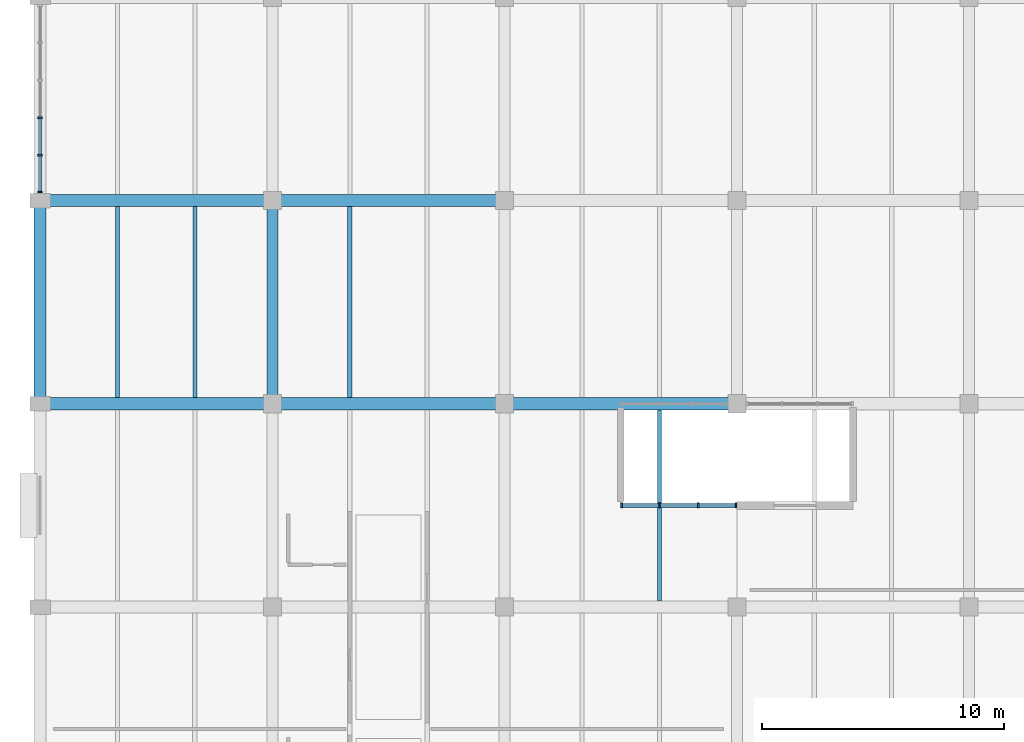
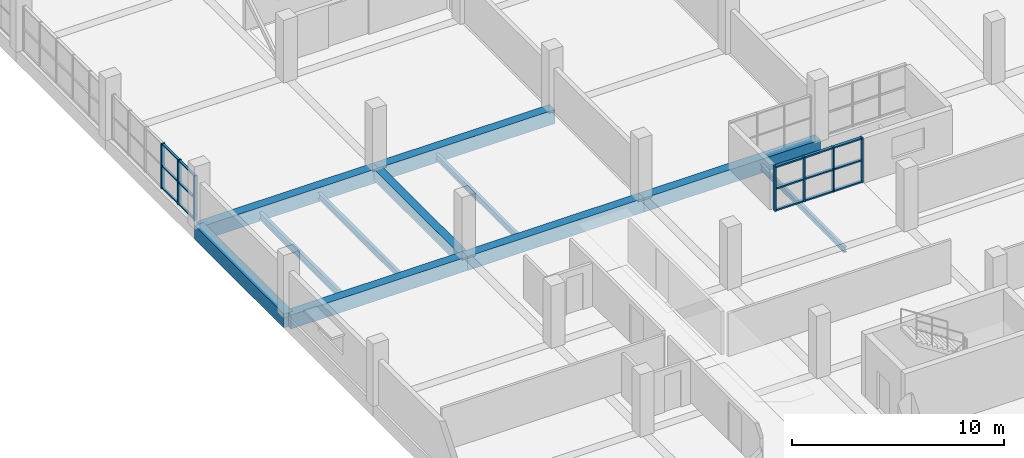
# One storey, part 32 of 147: 22 members, 11 beams, 2 elements without a shape of their own.
"""IFC4 building model written with IfcOpenShell, lengths in metres."""

from ifc_helpers import new_model, si_unit, direction, frame, origin, origin_2d, place, context, subcontext, project, spatial, rectangle, i_section, extrude, material, material_profile, profile_set, type_object, element, aggregate, save


model = new_model("IFC4")

# Units and contexts
model_context = context("Model", 3, precision=1e-05, world=origin(), true_north=direction((0.0, 1.0)))
body_context = subcontext(model_context, "Body", "Model", "MODEL_VIEW")
ifc_project = project(units=[si_unit("LENGTHUNIT", "METRE"), si_unit("AREAUNIT", "SQUARE_METRE"), si_unit("VOLUMEUNIT", "CUBIC_METRE"), si_unit("PLANEANGLEUNIT", "RADIAN"), si_unit("MASSUNIT", "GRAM", prefix="KILO")], contexts=[model_context])

# Site, building, storey
site_placement = place(None, origin())
site = spatial("IfcSite", under=ifc_project, at=site_placement, CompositionType="ELEMENT")
building_placement = place(site_placement, origin())
building = spatial("IfcBuilding", under=site, at=building_placement, Name="Oolite Switchyard Hospital", CompositionType="ELEMENT")
storey_placement = place(building_placement, frame((0.0, 0.0, 9.89990234375)))
storey = spatial("IfcBuildingStorey", under=building, at=storey_placement, Name="L02", CompositionType="ELEMENT", Elevation=9.89990234375)

# Beams
ifc_material_1 = material(Name="Concrete C40/50", Category="concrete")
ifc_material_profile_1 = material_profile(ifc_material_1, rectangle(XDim=0.449951171875, YDim=0.64990234375, at=origin_2d()), Name="RCB450X650")
ifc_profile_set_1 = profile_set([ifc_material_profile_1], Name="Concrete C40/50")
beam_type_1 = type_object("IfcBeamType", Name="BM-RC450X650", PredefinedType="BEAM", material=ifc_profile_set_1)
beam_1_placement = place(storey_placement, frame((9.60009765625, 84.0, -0.324951171875), z_axis=(0.0, 1.0, 0.0), x_axis=(-1.0, 0.0, 0.0)))
element("IfcBeam", 1, at=beam_1_placement, inside=storey, type_object=beam_type_1, Name="L02 Y-Girder 1271", PredefinedType="BEAM", context=body_context, shape_type="SweptSolid", body=[
    extrude(rectangle(XDim=0.449951171875, YDim=0.64990234375, at=origin_2d()), origin(), (0.0, 0.0, 1.0), 8.39990234375),
])
ifc_material_profile_2 = material_profile(ifc_material_1, rectangle(XDim=0.5, YDim=0.800048828125, at=origin_2d()), Name="RCB500X800")
ifc_profile_set_2 = profile_set([ifc_material_profile_2], Name="Concrete C40/50")
beam_type_2 = type_object("IfcBeamType", Name="BM-RC500X800", PredefinedType="BEAM", material=ifc_profile_set_2)
beam_2_placement = place(storey_placement, frame((0.0, 84.0, -0.39990234375), z_axis=(1.0, 0.0, 0.0), x_axis=(0.0, 1.0, 0.0)))
element("IfcBeam", 2, at=beam_2_placement, inside=storey, type_object=beam_type_2, Name="L02 X-Girder 1125", PredefinedType="BEAM", context=body_context, shape_type="SweptSolid", body=[
    extrude(rectangle(XDim=0.5, YDim=0.800048828125, at=origin_2d()), origin(), (0.0, 0.0, 1.0), 9.60009765625),
])
beam_3_placement = place(storey_placement, frame((9.60009765625, 84.0, -0.39990234375), z_axis=(1.0, 0.0, 0.0), x_axis=(0.0, 1.0, 0.0)))
element("IfcBeam", 3, at=beam_3_placement, inside=storey, type_object=beam_type_2, Name="L02 X-Girder 1126", PredefinedType="BEAM", context=body_context, shape_type="SweptSolid", body=[
    extrude(rectangle(XDim=0.5, YDim=0.800048828125, at=origin_2d()), origin(), (0.0, 0.0, 1.0), 9.599853515625),
])
for number, where, z_axis, x_axis, name in (
    (4, (19.199951171875, 84.0, -0.39990234375), (1.0, 0.0, 0.0), (0.0, 1.0, 0.0), "L02 X-Girder 1127"),
    (5, (0.0, 92.39990234375, -0.39990234375), (1.0, 0.0, 0.0), (0.0, 1.0, 0.0), "L02 X-Girder 1142"),
):
    element("IfcBeam", number, at=place(storey_placement, frame(where, z_axis=z_axis, x_axis=x_axis)), inside=storey, type_object=beam_type_2, Name=name, PredefinedType="BEAM", context=body_context, shape_type="SweptSolid", body=[
        extrude(rectangle(XDim=0.5, YDim=0.800048828125, at=origin_2d()), origin(), (0.0, 0.0, 1.0), 9.60009765625),
    ])
beam_4_placement = place(storey_placement, frame((9.60009765625, 92.39990234375, -0.39990234375), z_axis=(1.0, 0.0, 0.0), x_axis=(0.0, 1.0, 0.0)))
element("IfcBeam", 6, at=beam_4_placement, inside=storey, type_object=beam_type_2, Name="L02 X-Girder 1143", PredefinedType="BEAM", context=body_context, shape_type="SweptSolid", body=[
    extrude(rectangle(XDim=0.5, YDim=0.800048828125, at=origin_2d()), origin(), (0.0, 0.0, 1.0), 9.599853515625),
])
beam_5_placement = place(storey_placement, frame((0.0, 84.0, -0.39990234375), z_axis=(0.0, 1.0, 0.0), x_axis=(-1.0, 0.0, 0.0)))
element("IfcBeam", 7, at=beam_5_placement, inside=storey, type_object=beam_type_2, Name="L02 Y-Girder 1258", PredefinedType="BEAM", context=body_context, shape_type="SweptSolid", body=[
    extrude(rectangle(XDim=0.5, YDim=0.800048828125, at=origin_2d()), origin(), (0.0, 0.0, 1.0), 8.39990234375),
])
ifc_material_2 = material(Name="Steel ASTM A992 Grade 50", Category="steel")
ifc_material_profile_3 = material_profile(ifc_material_2, i_section(OverallWidth=0.1650390625, OverallDepth=0.31005859375, WebThickness=0.006103515625, FlangeThickness=0.010009765625, at=origin_2d()), Name="W12X26")
ifc_profile_set_3 = profile_set([ifc_material_profile_3], Name="Steel ASTM A992 Grade 50")
beam_type_3 = type_object("IfcBeamType", Name="BM-W12X26", PredefinedType="JOIST", material=ifc_profile_set_3)
beam_6_placement = place(storey_placement, frame((25.60009765625, 75.85009765625, -0.414794921875), z_axis=(0.0, 1.0, 0.0), x_axis=(-1.0, 0.0, 0.0)))
element("IfcBeam", 8, at=beam_6_placement, inside=storey, type_object=beam_type_3, Name="L02 Secondary Steel Joist 1579", PredefinedType="JOIST", context=body_context, shape_type="SweptSolid", body=[
    extrude(i_section(OverallWidth=0.1650390625, OverallDepth=0.31005859375, WebThickness=0.006103515625, FlangeThickness=0.010009765625, at=origin_2d()), origin(), (0.0, 0.0, 1.0), 7.89990234375),
])
ifc_material_profile_4 = material_profile(ifc_material_2, i_section(OverallWidth=0.1708984375, OverallDepth=0.35107421875, WebThickness=0.007080078125, FlangeThickness=0.010009765625, at=origin_2d()), Name="W14X30")
ifc_profile_set_4 = profile_set([ifc_material_profile_4], Name="Steel ASTM A992 Grade 50")
beam_type_4 = type_object("IfcBeamType", Name="BM-W14X30", PredefinedType="JOIST", material=ifc_profile_set_4)
for number, where, z_axis, x_axis, name in (
    (9, (6.39990234375, 84.25, -0.434814453125), (0.0, 1.0, 0.0), (-1.0, 0.0, 0.0), "L02 Secondary Steel Joist 1527"),
    (10, (12.800048828125, 84.25, -0.434814453125), (0.0, 1.0, 0.0), (-1.0, 0.0, 0.0), "L02 Secondary Steel Joist 1552"),
):
    element("IfcBeam", number, at=place(storey_placement, frame(where, z_axis=z_axis, x_axis=x_axis)), inside=storey, type_object=beam_type_4, Name=name, PredefinedType="JOIST", context=body_context, shape_type="SweptSolid", body=[
        extrude(i_section(OverallWidth=0.1708984375, OverallDepth=0.35107421875, WebThickness=0.007080078125, FlangeThickness=0.010009765625, at=origin_2d()), origin(), (0.0, 0.0, 1.0), 7.89990234375),
    ])
ifc_material_profile_5 = material_profile(ifc_material_2, i_section(OverallWidth=0.177978515625, OverallDepth=0.403076171875, WebThickness=0.008056640625, FlangeThickness=0.010986328125, at=origin_2d()), Name="W16X36")
ifc_profile_set_5 = profile_set([ifc_material_profile_5], Name="Steel ASTM A992 Grade 50")
beam_type_5 = type_object("IfcBeamType", Name="BM-W16X36", PredefinedType="JOIST", material=ifc_profile_set_5)
beam_7_placement = place(storey_placement, frame((3.199951171875, 84.25, -0.4609375), z_axis=(0.0, 1.0, 0.0), x_axis=(-1.0, 0.0, 0.0)))
element("IfcBeam", 11, at=beam_7_placement, inside=storey, type_object=beam_type_5, Name="L02 Secondary Steel Joist 1526", PredefinedType="JOIST", context=body_context, shape_type="SweptSolid", body=[
    extrude(i_section(OverallWidth=0.177978515625, OverallDepth=0.403076171875, WebThickness=0.008056640625, FlangeThickness=0.010986328125, at=origin_2d()), origin(), (0.0, 0.0, 1.0), 7.89990234375),
])

# Curtain wall, members
ifc_material_3 = material(Name="Thermally broken aluminum frame with laminated impact glazing", Category="aluminium")
curtain_wall_type = type_object("IfcCurtainWallType", Name="CW-UNIT-84X36", PredefinedType="USERDEFINED", material=ifc_material_3)
curtain_wall_1_placement = place(storey_placement, origin())
curtain_wall_1 = element("IfcCurtainWall", 12, at=curtain_wall_1_placement, inside=storey, type_object=curtain_wall_type, Name="L02 Unitised Curtain Wall 249", ObjectType="UNITISED", PredefinedType="USERDEFINED")
ifc_material_4 = material(Name="Aluminium 6063-T6", Category="aluminium")
ifc_material_profile_6 = material_profile(ifc_material_4, rectangle(XDim=0.199951171875, YDim=0.074951171875, at=origin_2d()), Name="CWM75X200")
ifc_profile_set_6 = profile_set([ifc_material_profile_6], Name="Aluminium 6063-T6")
member_type_1 = type_object("IfcMemberType", Name="CW-MUL-260", PredefinedType="MULLION", material=ifc_profile_set_6)
member_1_placement = place(storey_placement, frame((24.03759765625, 79.800048828125, 0.0), z_axis=(0.0, 0.0, 1.0), x_axis=(0.0, 1.0, 0.0)))
member_1 = element("IfcMember", 13, at=member_1_placement, type_object=member_type_1, Name="CW-08 mullion 1", PredefinedType="MULLION", context=body_context, shape_type="SweptSolid", body=[
    extrude(rectangle(XDim=0.199951171875, YDim=0.074951171875, at=origin_2d()), origin(), (0.0, 0.0, 1.0), 2.570068359375),
])
member_2_placement = place(storey_placement, frame((25.60009765625, 79.800048828125, 0.0), z_axis=(0.0, 0.0, 1.0), x_axis=(0.0, 1.0, 0.0)))
member_2 = element("IfcMember", 14, at=member_2_placement, type_object=member_type_1, Name="CW-08 mullion 2", PredefinedType="MULLION", context=body_context, shape_type="SweptSolid", body=[
    extrude(rectangle(XDim=0.199951171875, YDim=0.074951171875, at=origin_2d()), origin(), (0.0, 0.0, 1.0), 2.570068359375),
])
member_3_placement = place(storey_placement, frame((27.199951171875, 79.800048828125, 0.0), z_axis=(0.0, 0.0, 1.0), x_axis=(0.0, 1.0, 0.0)))
member_3 = element("IfcMember", 15, at=member_3_placement, type_object=member_type_1, Name="CW-08 mullion 3", PredefinedType="MULLION", context=body_context, shape_type="SweptSolid", body=[
    extrude(rectangle(XDim=0.199951171875, YDim=0.074951171875, at=origin_2d()), origin(), (0.0, 0.0, 1.0), 2.570068359375),
])
member_4_placement = place(storey_placement, frame((28.762451171875, 79.800048828125, 0.0), z_axis=(0.0, 0.0, 1.0), x_axis=(0.0, 1.0, 0.0)))
member_4 = element("IfcMember", 16, at=member_4_placement, type_object=member_type_1, Name="CW-08 mullion 4", PredefinedType="MULLION", context=body_context, shape_type="SweptSolid", body=[
    extrude(rectangle(XDim=0.199951171875, YDim=0.074951171875, at=origin_2d()), origin(), (0.0, 0.0, 1.0), 2.570068359375),
])

curtain_wall_2_placement = place(storey_placement, origin())
curtain_wall_2 = element("IfcCurtainWall", 17, at=curtain_wall_2_placement, inside=storey, type_object=curtain_wall_type, Name="L02 Unitised Curtain Wall 276", ObjectType="UNITISED", PredefinedType="USERDEFINED")
member_5_placement = place(storey_placement, frame((0.0, 92.75244140625, 0.0), z_axis=(0.0, 0.0, 1.0), x_axis=(-1.0, 0.0, 0.0)))
member_5 = element("IfcMember", 18, at=member_5_placement, type_object=member_type_1, Name="CW-08 mullion 1", PredefinedType="MULLION", context=body_context, shape_type="SweptSolid", body=[
    extrude(rectangle(XDim=0.199951171875, YDim=0.074951171875, at=origin_2d()), origin(), (0.0, 0.0, 1.0), 2.570068359375),
])
member_6_placement = place(storey_placement, frame((0.0, 94.26904296875, 0.0), z_axis=(0.0, 0.0, 1.0), x_axis=(-1.0, 0.0, 0.0)))
member_6 = element("IfcMember", 19, at=member_6_placement, type_object=member_type_1, Name="CW-08 mullion 2", PredefinedType="MULLION", context=body_context, shape_type="SweptSolid", body=[
    extrude(rectangle(XDim=0.199951171875, YDim=0.074951171875, at=origin_2d()), origin(), (0.0, 0.0, 1.0), 2.570068359375),
])
member_7_placement = place(storey_placement, frame((0.0, 95.822998046875, 0.0), z_axis=(0.0, 0.0, 1.0), x_axis=(-1.0, 0.0, 0.0)))
member_7 = element("IfcMember", 20, at=member_7_placement, type_object=member_type_1, Name="CW-08 mullion 3", PredefinedType="MULLION", context=body_context, shape_type="SweptSolid", body=[
    extrude(rectangle(XDim=0.199951171875, YDim=0.074951171875, at=origin_2d()), origin(), (0.0, 0.0, 1.0), 2.570068359375),
])
ifc_material_profile_7 = material_profile(ifc_material_4, rectangle(XDim=0.1201171875, YDim=0.06005859375, at=origin_2d()), Name="CWT60X120")
ifc_profile_set_7 = profile_set([ifc_material_profile_7], Name="Aluminium 6063-T6")
member_type_2 = type_object("IfcMemberType", Name="CW-TRN-150", PredefinedType="USERDEFINED", material=ifc_profile_set_7)
member_8_placement = place(storey_placement, frame((0.0, 92.7900390625, 0.030029296875), z_axis=(0.0, 1.0, 0.0), x_axis=(-1.0, 0.0, 0.0)))
member_8 = element("IfcMember", 21, at=member_8_placement, type_object=member_type_2, Name="CW-08 transom 1.1", ObjectType="TRANSOM", PredefinedType="USERDEFINED", context=body_context, shape_type="SweptSolid", body=[
    extrude(rectangle(XDim=0.1201171875, YDim=0.06005859375, at=origin_2d()), origin(), (0.0, 0.0, 1.0), 1.44140625),
])
member_9_placement = place(storey_placement, frame((0.0, 92.7900390625, 1.28515625), z_axis=(0.0, 1.0, 0.0), x_axis=(-1.0, 0.0, 0.0)))
member_9 = element("IfcMember", 22, at=member_9_placement, type_object=member_type_2, Name="CW-08 transom 1.2", ObjectType="TRANSOM", PredefinedType="USERDEFINED", context=body_context, shape_type="SweptSolid", body=[
    extrude(rectangle(XDim=0.1201171875, YDim=0.06005859375, at=origin_2d()), origin(), (0.0, 0.0, 1.0), 1.44140625),
])
member_10_placement = place(storey_placement, frame((0.0, 92.7900390625, 2.5400390625), z_axis=(0.0, 1.0, 0.0), x_axis=(-1.0, 0.0, 0.0)))
member_10 = element("IfcMember", 23, at=member_10_placement, type_object=member_type_2, Name="CW-08 transom 1.3", ObjectType="TRANSOM", PredefinedType="USERDEFINED", context=body_context, shape_type="SweptSolid", body=[
    extrude(rectangle(XDim=0.1201171875, YDim=0.06005859375, at=origin_2d()), origin(), (0.0, 0.0, 1.0), 1.44140625),
])
member_11_placement = place(storey_placement, frame((0.0, 94.306396484375, 0.030029296875), z_axis=(0.0, 1.0, 0.0), x_axis=(-1.0, 0.0, 0.0)))
member_11 = element("IfcMember", 24, at=member_11_placement, type_object=member_type_2, Name="CW-08 transom 2.1", ObjectType="TRANSOM", PredefinedType="USERDEFINED", context=body_context, shape_type="SweptSolid", body=[
    extrude(rectangle(XDim=0.1201171875, YDim=0.06005859375, at=origin_2d()), origin(), (0.0, 0.0, 1.0), 1.47900390625),
])
member_12_placement = place(storey_placement, frame((0.0, 94.306396484375, 1.28515625), z_axis=(0.0, 1.0, 0.0), x_axis=(-1.0, 0.0, 0.0)))
member_12 = element("IfcMember", 25, at=member_12_placement, type_object=member_type_2, Name="CW-08 transom 2.2", ObjectType="TRANSOM", PredefinedType="USERDEFINED", context=body_context, shape_type="SweptSolid", body=[
    extrude(rectangle(XDim=0.1201171875, YDim=0.06005859375, at=origin_2d()), origin(), (0.0, 0.0, 1.0), 1.47900390625),
])
member_13_placement = place(storey_placement, frame((0.0, 94.306396484375, 2.5400390625), z_axis=(0.0, 1.0, 0.0), x_axis=(-1.0, 0.0, 0.0)))
member_13 = element("IfcMember", 26, at=member_13_placement, type_object=member_type_2, Name="CW-08 transom 2.3", ObjectType="TRANSOM", PredefinedType="USERDEFINED", context=body_context, shape_type="SweptSolid", body=[
    extrude(rectangle(XDim=0.1201171875, YDim=0.06005859375, at=origin_2d()), origin(), (0.0, 0.0, 1.0), 1.47900390625),
])
aggregate(curtain_wall_2, [member_5, member_6, member_7, member_8, member_9, member_10, member_11, member_12, member_13])

# Member
ifc_material_profile_8 = material_profile(ifc_material_4, rectangle(XDim=0.159912109375, YDim=0.074951171875, at=origin_2d()), Name="CWT75X160")
ifc_profile_set_8 = profile_set([ifc_material_profile_8], Name="Aluminium 6063-T6")
member_type_3 = type_object("IfcMemberType", Name="CW-TRN-180", PredefinedType="USERDEFINED", material=ifc_profile_set_8)
member_14_placement = place(storey_placement, frame((24.074951171875, 79.800048828125, 0.03759765625), z_axis=(1.0, 0.0, 0.0), x_axis=(0.0, 1.0, 0.0)))
member_14 = element("IfcMember", 27, at=member_14_placement, type_object=member_type_3, Name="CW-08 transom 1.1", ObjectType="TRANSOM", PredefinedType="USERDEFINED", context=body_context, shape_type="SweptSolid", body=[
    extrude(rectangle(XDim=0.159912109375, YDim=0.074951171875, at=origin_2d()), origin(), (0.0, 0.0, 1.0), 1.487548828125),
])

member_15_placement = place(storey_placement, frame((24.074951171875, 79.800048828125, 1.28515625), z_axis=(1.0, 0.0, 0.0), x_axis=(0.0, 1.0, 0.0)))
member_15 = element("IfcMember", 28, at=member_15_placement, type_object=member_type_3, Name="CW-08 transom 1.2", ObjectType="TRANSOM", PredefinedType="USERDEFINED", context=body_context, shape_type="SweptSolid", body=[
    extrude(rectangle(XDim=0.159912109375, YDim=0.074951171875, at=origin_2d()), origin(), (0.0, 0.0, 1.0), 1.487548828125),
])

member_16_placement = place(storey_placement, frame((24.074951171875, 79.800048828125, 2.53271484375), z_axis=(1.0, 0.0, 0.0), x_axis=(0.0, 1.0, 0.0)))
member_16 = element("IfcMember", 29, at=member_16_placement, type_object=member_type_3, Name="CW-08 transom 1.3", ObjectType="TRANSOM", PredefinedType="USERDEFINED", context=body_context, shape_type="SweptSolid", body=[
    extrude(rectangle(XDim=0.159912109375, YDim=0.074951171875, at=origin_2d()), origin(), (0.0, 0.0, 1.0), 1.487548828125),
])

member_17_placement = place(storey_placement, frame((25.637451171875, 79.800048828125, 0.03759765625), z_axis=(1.0, 0.0, 0.0), x_axis=(0.0, 1.0, 0.0)))
member_17 = element("IfcMember", 30, at=member_17_placement, type_object=member_type_3, Name="CW-08 transom 2.1", ObjectType="TRANSOM", PredefinedType="USERDEFINED", context=body_context, shape_type="SweptSolid", body=[
    extrude(rectangle(XDim=0.159912109375, YDim=0.074951171875, at=origin_2d()), origin(), (0.0, 0.0, 1.0), 1.525146484375),
])

member_18_placement = place(storey_placement, frame((25.637451171875, 79.800048828125, 1.28515625), z_axis=(1.0, 0.0, 0.0), x_axis=(0.0, 1.0, 0.0)))
member_18 = element("IfcMember", 31, at=member_18_placement, type_object=member_type_3, Name="CW-08 transom 2.2", ObjectType="TRANSOM", PredefinedType="USERDEFINED", context=body_context, shape_type="SweptSolid", body=[
    extrude(rectangle(XDim=0.159912109375, YDim=0.074951171875, at=origin_2d()), origin(), (0.0, 0.0, 1.0), 1.525146484375),
])

member_19_placement = place(storey_placement, frame((25.637451171875, 79.800048828125, 2.53271484375), z_axis=(1.0, 0.0, 0.0), x_axis=(0.0, 1.0, 0.0)))
member_19 = element("IfcMember", 32, at=member_19_placement, type_object=member_type_3, Name="CW-08 transom 2.3", ObjectType="TRANSOM", PredefinedType="USERDEFINED", context=body_context, shape_type="SweptSolid", body=[
    extrude(rectangle(XDim=0.159912109375, YDim=0.074951171875, at=origin_2d()), origin(), (0.0, 0.0, 1.0), 1.525146484375),
])

member_20_placement = place(storey_placement, frame((27.237548828125, 79.800048828125, 0.03759765625), z_axis=(1.0, 0.0, 0.0), x_axis=(0.0, 1.0, 0.0)))
member_20 = element("IfcMember", 33, at=member_20_placement, type_object=member_type_3, Name="CW-08 transom 3.1", ObjectType="TRANSOM", PredefinedType="USERDEFINED", context=body_context, shape_type="SweptSolid", body=[
    extrude(rectangle(XDim=0.159912109375, YDim=0.074951171875, at=origin_2d()), origin(), (0.0, 0.0, 1.0), 1.487548828125),
])

member_21_placement = place(storey_placement, frame((27.237548828125, 79.800048828125, 1.28515625), z_axis=(1.0, 0.0, 0.0), x_axis=(0.0, 1.0, 0.0)))
member_21 = element("IfcMember", 34, at=member_21_placement, type_object=member_type_3, Name="CW-08 transom 3.2", ObjectType="TRANSOM", PredefinedType="USERDEFINED", context=body_context, shape_type="SweptSolid", body=[
    extrude(rectangle(XDim=0.159912109375, YDim=0.074951171875, at=origin_2d()), origin(), (0.0, 0.0, 1.0), 1.487548828125),
])

member_22_placement = place(storey_placement, frame((27.237548828125, 79.800048828125, 2.53271484375), z_axis=(1.0, 0.0, 0.0), x_axis=(0.0, 1.0, 0.0)))
member_22 = element("IfcMember", 35, at=member_22_placement, type_object=member_type_3, Name="CW-08 transom 3.3", ObjectType="TRANSOM", PredefinedType="USERDEFINED", context=body_context, shape_type="SweptSolid", body=[
    extrude(rectangle(XDim=0.159912109375, YDim=0.074951171875, at=origin_2d()), origin(), (0.0, 0.0, 1.0), 1.487548828125),
])

aggregate(curtain_wall_1, [member_1, member_2, member_3, member_4, member_14, member_15, member_16, member_17, member_18, member_19, member_20, member_21, member_22])

save(model, "model.ifc")
